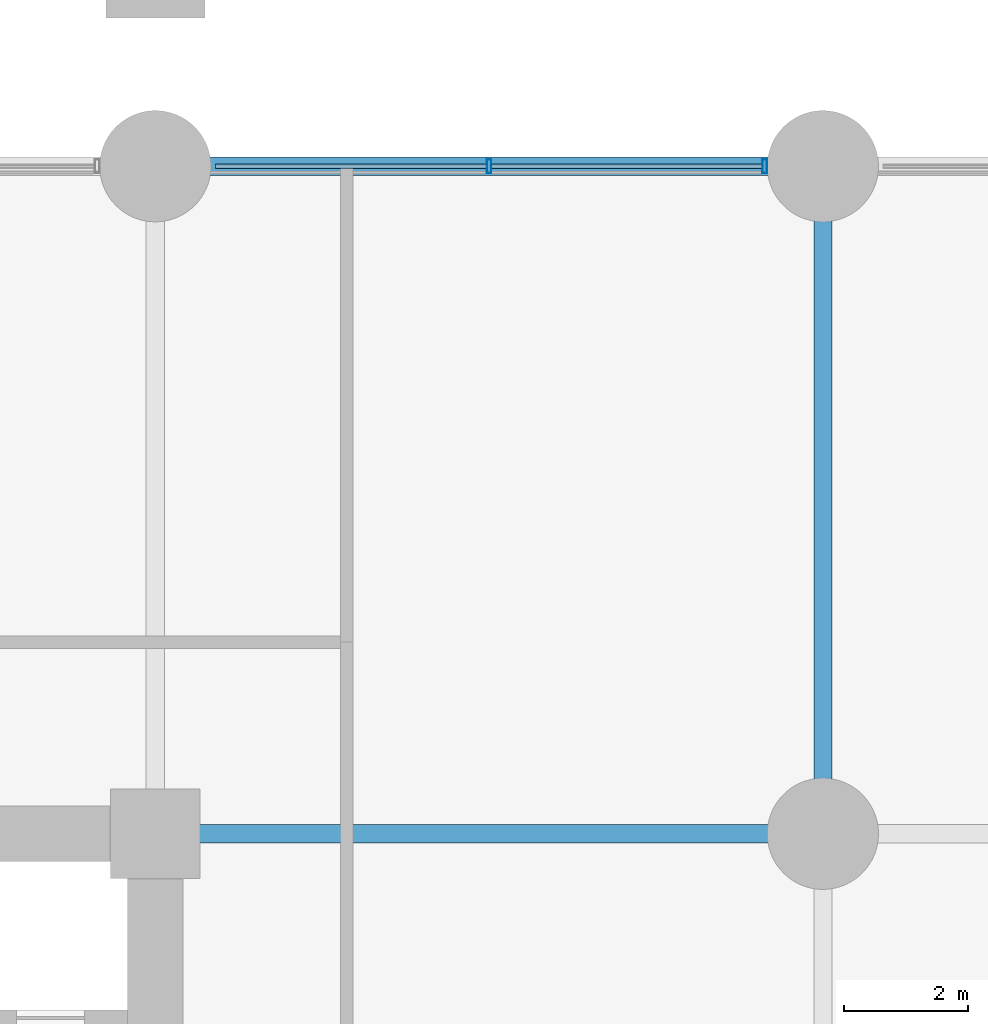
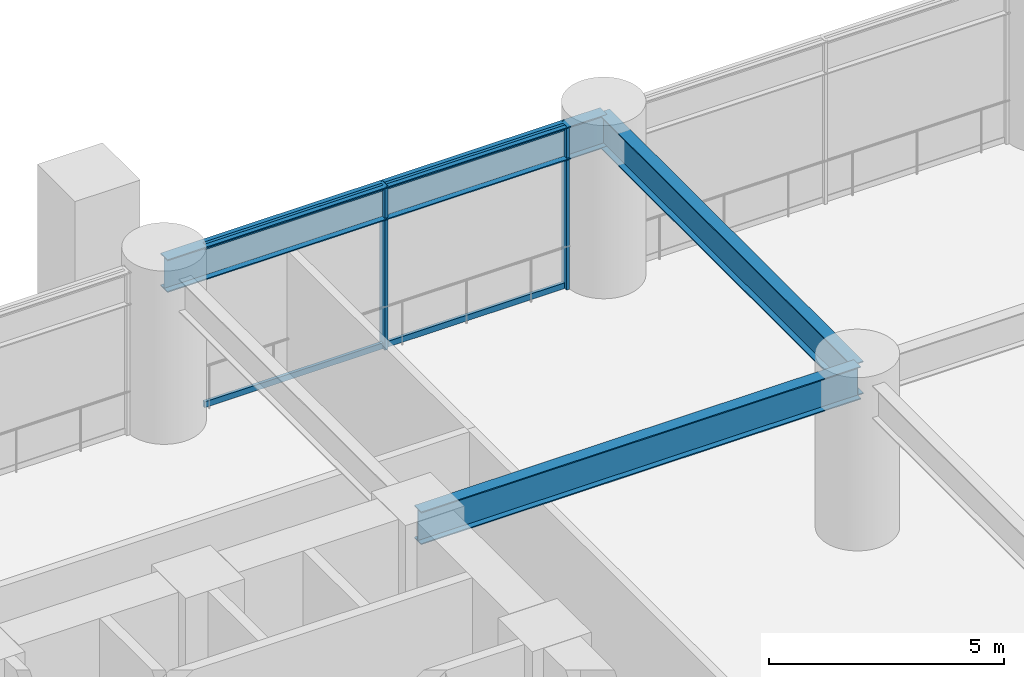
# One storey, part 16 of 31: 6 members, 3 beams, 1 element without a shape of its own.
"""IFC4 building model written with IfcOpenShell, lengths in metres."""

from ifc_helpers import new_model, si_unit, direction, frame, origin, origin_2d, place, context, subcontext, project, spatial, hollow_rectangle, i_section, extrude, material, layer, layer_set, material_profile, profile_set, type_object, element, aggregate, save


model = new_model("IFC4")

# Units and contexts
model_context = context("Model", 3, precision=1e-05, world=origin(), true_north=direction((0.0, 1.0)))
body_context = subcontext(model_context, "Body", "Model", "MODEL_VIEW")
ifc_project = project(units=[si_unit("LENGTHUNIT", "METRE"), si_unit("AREAUNIT", "SQUARE_METRE"), si_unit("VOLUMEUNIT", "CUBIC_METRE"), si_unit("PLANEANGLEUNIT", "RADIAN"), si_unit("MASSUNIT", "GRAM", prefix="KILO")], contexts=[model_context])

# Site, building, storey
site_placement = place(None, origin())
site = spatial("IfcSite", under=ifc_project, at=site_placement, CompositionType="ELEMENT")
building_placement = place(site_placement, origin())
building = spatial("IfcBuilding", under=site, at=building_placement, Name="Surkhivell Harbour Commons", CompositionType="ELEMENT")
storey_placement = place(building_placement, frame((0.0, 0.0, 4.5)))
storey = spatial("IfcBuildingStorey", under=building, at=storey_placement, Name="L01", CompositionType="ELEMENT", Elevation=4.5)

# Beams
ifc_material_1 = material(Name="Steel S460", Category="steel")
ifc_material_profile_1 = material_profile(ifc_material_1, i_section(OverallWidth=0.2939453125, OverallDepth=0.85107421875, WebThickness=0.01611328125, FlangeThickness=0.02685546875, at=origin_2d()), Name="UB838x292x226")
ifc_profile_set_1 = profile_set([ifc_material_profile_1], Name="Steel S460")
beam_type = type_object("IfcBeamType", Name="BM-SPN-838", PredefinedType="SPANDREL", material=ifc_profile_set_1)
for number, where, z_axis, x_axis, name in (
    (1, (10.800048828125, 10.800048828125, 3.824462890625), (1.0, 0.0, 0.0), (0.0, 1.0, 0.0), "L01 Framing Beam (10.8,10.8)"),
    (2, (10.800048828125, 21.60009765625, 3.824462890625), (1.0, 0.0, 0.0), (0.0, 1.0, 0.0), "L01 Framing Beam (10.8,21.6)"),
    (3, (21.60009765625, 10.800048828125, 3.824462890625), (0.0, 1.0, 0.0), (-1.0, 0.0, 0.0), "L01 Framing Beam (21.6,10.8)"),
):
    element("IfcBeam", number, at=place(storey_placement, frame(where, z_axis=z_axis, x_axis=x_axis)), inside=storey, type_object=beam_type, Name=name, PredefinedType="SPANDREL", context=body_context, shape_type="SweptSolid", body=[
        extrude(i_section(OverallWidth=0.2939453125, OverallDepth=0.85107421875, WebThickness=0.01611328125, FlangeThickness=0.02685546875, at=origin_2d()), origin(), (0.0, 0.0, 1.0), 10.800048828125),
    ])

# Curtain wall, members
ifc_material_2 = material(Name="Anodised pale-metal aluminium and insulated glazing", Category="aluminium")
ifc_layer = layer(ifc_material_2, 0.239990234375)
ifc_layer_set = layer_set([ifc_layer], Name="Anodised pale-metal aluminium and insulated glazing")
curtain_wall_type = type_object("IfcCurtainWallType", Name="CW-SYS-POD", PredefinedType="NOTDEFINED", material=ifc_layer_set)
curtain_wall_placement = place(storey_placement, origin())
curtain_wall = element("IfcCurtainWall", 4, at=curtain_wall_placement, inside=storey, type_object=curtain_wall_type, Name="L01 Curtain Wall CW-L01-P03", PredefinedType="NOTDEFINED")
ifc_material_3 = material(Name="Anodised pale-metal aluminium alloy 6063-T6", Category="aluminium")
ifc_material_profile_2 = material_profile(ifc_material_3, hollow_rectangle(XDim=0.074951171875, YDim=0.219970703125, WallThickness=0.00390625, at=origin_2d()), Name="ALU-MULL-75x220")
ifc_profile_set_2 = profile_set([ifc_material_profile_2], Name="Anodised pale-metal aluminium alloy 6063-T6")
member_type_1 = type_object("IfcMemberType", Name="CWM-220", PredefinedType="MULLION", material=ifc_profile_set_2)
member_1_placement = place(storey_placement, frame((20.660400390625, 21.60009765625, 0.0), z_axis=(0.0, 0.0, 1.0), x_axis=(-1.0, 0.0, 0.0)))
member_1 = element("IfcMember", 5, at=member_1_placement, type_object=member_type_1, Name="CW-POD mullion 3", PredefinedType="MULLION", context=body_context, shape_type="SweptSolid", body=[
    extrude(hollow_rectangle(XDim=0.074951171875, YDim=0.219970703125, WallThickness=0.00390625, at=origin_2d()), origin(), (0.0, 0.0, 1.0), 4.25),
])
member_2_placement = place(storey_placement, frame((16.199951171875, 21.60009765625, 0.0), z_axis=(0.0, 0.0, 1.0), x_axis=(-1.0, 0.0, 0.0)))
member_2 = element("IfcMember", 6, at=member_2_placement, type_object=member_type_1, Name="CW-POD mullion 4", PredefinedType="MULLION", context=body_context, shape_type="SweptSolid", body=[
    extrude(hollow_rectangle(XDim=0.074951171875, YDim=0.219970703125, WallThickness=0.00390625, at=origin_2d()), origin(), (0.0, 0.0, 1.0), 4.25),
])
ifc_material_profile_3 = material_profile(ifc_material_3, hollow_rectangle(XDim=0.074951171875, YDim=0.14990234375, WallThickness=0.00341796875, at=origin_2d()), Name="ALU-TRAN-75x150")
ifc_profile_set_3 = profile_set([ifc_material_profile_3], Name="Anodised pale-metal aluminium alloy 6063-T6")
member_type_2 = type_object("IfcMemberType", Name="CWT-150", PredefinedType="USERDEFINED", material=ifc_profile_set_3)
member_3_placement = place(storey_placement, frame((20.623046875, 21.60009765625, 0.074951171875), z_axis=(-1.0, 0.0, 0.0), x_axis=(0.0, -1.0, 0.0)))
member_3 = element("IfcMember", 7, at=member_3_placement, type_object=member_type_2, Name="CW-POD transom 3.1", ObjectType="TRANSOM", PredefinedType="USERDEFINED", context=body_context, shape_type="SweptSolid", body=[
    extrude(hollow_rectangle(XDim=0.074951171875, YDim=0.14990234375, WallThickness=0.00341796875, at=origin_2d()), origin(), (0.0, 0.0, 1.0), 4.385498046875),
])
member_4_placement = place(storey_placement, frame((20.623046875, 21.60009765625, 4.175048828125), z_axis=(-1.0, 0.0, 0.0), x_axis=(0.0, -1.0, 0.0)))
member_4 = element("IfcMember", 8, at=member_4_placement, type_object=member_type_2, Name="CW-POD transom 3.2", ObjectType="TRANSOM", PredefinedType="USERDEFINED", context=body_context, shape_type="SweptSolid", body=[
    extrude(hollow_rectangle(XDim=0.074951171875, YDim=0.14990234375, WallThickness=0.00341796875, at=origin_2d()), origin(), (0.0, 0.0, 1.0), 4.385498046875),
])
member_5_placement = place(storey_placement, frame((16.16259765625, 21.60009765625, 0.074951171875), z_axis=(-1.0, 0.0, 0.0), x_axis=(0.0, -1.0, 0.0)))
member_5 = element("IfcMember", 9, at=member_5_placement, type_object=member_type_2, Name="CW-POD transom 4.1", ObjectType="TRANSOM", PredefinedType="USERDEFINED", context=body_context, shape_type="SweptSolid", body=[
    extrude(hollow_rectangle(XDim=0.074951171875, YDim=0.14990234375, WallThickness=0.00341796875, at=origin_2d()), origin(), (0.0, 0.0, 1.0), 4.385498046875),
])
member_6_placement = place(storey_placement, frame((16.16259765625, 21.60009765625, 4.175048828125), z_axis=(-1.0, 0.0, 0.0), x_axis=(0.0, -1.0, 0.0)))
member_6 = element("IfcMember", 10, at=member_6_placement, type_object=member_type_2, Name="CW-POD transom 4.2", ObjectType="TRANSOM", PredefinedType="USERDEFINED", context=body_context, shape_type="SweptSolid", body=[
    extrude(hollow_rectangle(XDim=0.074951171875, YDim=0.14990234375, WallThickness=0.00341796875, at=origin_2d()), origin(), (0.0, 0.0, 1.0), 4.385498046875),
])
aggregate(curtain_wall, [member_1, member_2, member_3, member_4, member_5, member_6])

save(model, "model.ifc")
